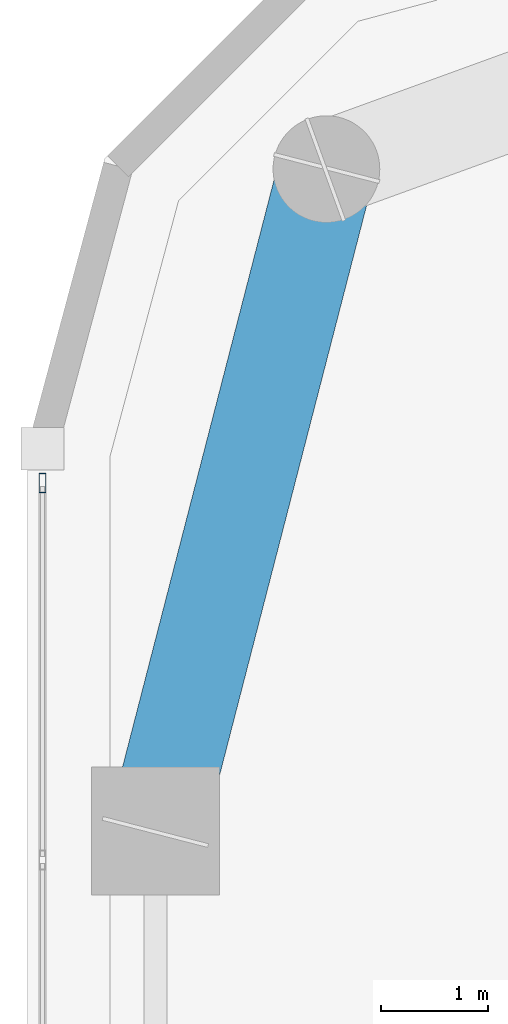
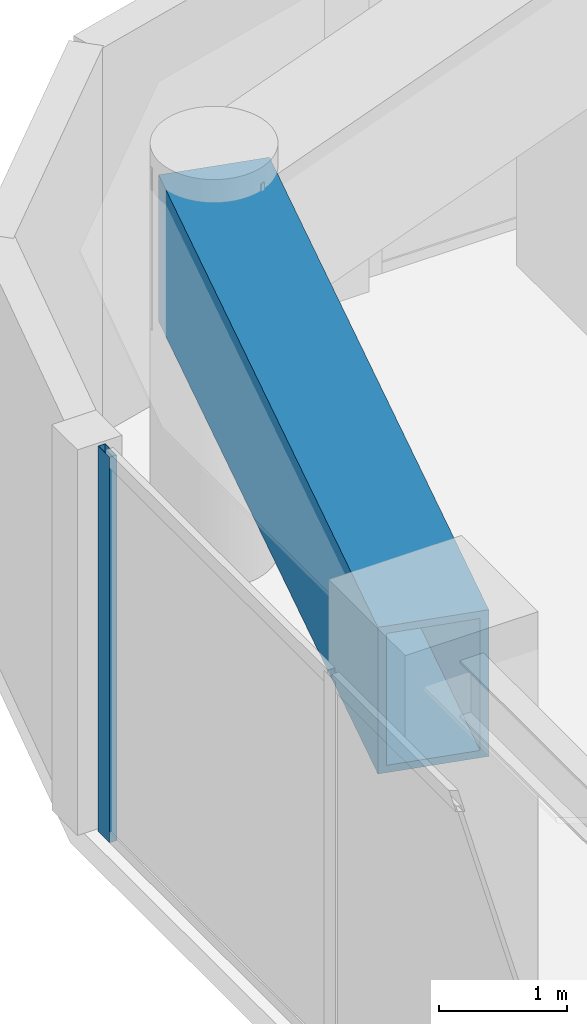
# One storey, part 11 of 26: 1 beam, 1 member, 1 element without a shape of its own.
"""IFC4 building model written with IfcOpenShell, lengths in metres."""

from ifc_helpers import new_model, si_unit, direction, frame, origin, origin_2d, place, context, subcontext, project, spatial, hollow_rectangle, extrude, material, layer, layer_set, material_profile, profile_set, type_object, element, aggregate, save


model = new_model("IFC4")

# Units and contexts
model_context = context("Model", 3, precision=1e-05, world=origin(), true_north=direction((0.0, 1.0)))
body_context = subcontext(model_context, "Body", "Model", "MODEL_VIEW")
ifc_project = project(units=[si_unit("LENGTHUNIT", "METRE"), si_unit("AREAUNIT", "SQUARE_METRE"), si_unit("VOLUMEUNIT", "CUBIC_METRE"), si_unit("PLANEANGLEUNIT", "RADIAN"), si_unit("MASSUNIT", "GRAM", prefix="KILO")], contexts=[model_context])

# Site, building, storey
site_placement = place(None, origin())
site = spatial("IfcSite", under=ifc_project, at=site_placement, CompositionType="ELEMENT")
building_placement = place(site_placement, origin())
building = spatial("IfcBuilding", under=site, at=building_placement, Name="Kiyonajd Concourse Tower", CompositionType="ELEMENT")
storey_placement = place(building_placement, frame((0.0, 0.0, 186.300048828125)))
storey = spatial("IfcBuildingStorey", under=building, at=storey_placement, Name="L47", CompositionType="ELEMENT", Elevation=186.300048828125)

# Beam
ifc_material_1 = material(Name="Steel ASTM A572 Grade 50", Category="steel")
ifc_material_profile_1 = material_profile(ifc_material_1, hollow_rectangle(XDim=0.89990234375, YDim=1.39990234375, WallThickness=0.070068359375, at=origin_2d()), Name="BOX-1400x900x70")
ifc_profile_set_1 = profile_set([ifc_material_profile_1], Name="Steel ASTM A572 Grade 50")
beam_type = type_object("IfcBeamType", Name="BM-XFER-1400", PredefinedType="BEAM", material=ifc_profile_set_1)
beam_placement = place(storey_placement, frame((20.800048828125, 59.60009765625, 2.97998046875), z_axis=(-0.249884937687, -0.968275538221, 0.0), x_axis=(0.968275538221, -0.249884937687, 0.0)))
element("IfcBeam", 1, at=beam_placement, inside=storey, type_object=beam_type, Name="L47 Perimeter Bundled Tube Spandrel", PredefinedType="BEAM", context=body_context, shape_type="SweptSolid", body=[
    extrude(hollow_rectangle(XDim=0.89990234375, YDim=1.39990234375, WallThickness=0.070068359375, at=origin_2d()), origin(), (0.0, 0.0, 1.0), 6.4033203125),
])

# Curtain wall, member
ifc_material_2 = material(Name="Thermally Broken Anodised Aluminium", Category="aluminium")
ifc_layer = layer(ifc_material_2, 0.179931640625)
ifc_layer_set = layer_set([ifc_layer], Name="Thermally Broken Anodised Aluminium")
curtain_wall_type = type_object("IfcCurtainWallType", Name="CW-SYS-03", PredefinedType="NOTDEFINED", material=ifc_layer_set)
curtain_wall_placement = place(storey_placement, origin())
curtain_wall = element("IfcCurtainWall", 2, at=curtain_wall_placement, inside=storey, type_object=curtain_wall_type, Name="L47 Unitised Curtain Wall CW3", PredefinedType="NOTDEFINED")
ifc_material_profile_2 = material_profile(ifc_material_2, hollow_rectangle(XDim=0.06494140625, YDim=0.179931640625, WallThickness=0.00390625, at=origin_2d()), Name="MULL-65x180")
ifc_profile_set_2 = profile_set([ifc_material_profile_2], Name="Thermally Broken Anodised Aluminium")
member_type = type_object("IfcMemberType", Name="MB-CW-MULL1", PredefinedType="MULLION", material=ifc_profile_set_2)
member_placement = place(storey_placement, frame((18.139892578125, 56.6591796875, 0.0), z_axis=(0.0, 0.0, 1.0), x_axis=(-1.0, 0.0, 0.0)))
member = element("IfcMember", 3, at=member_placement, type_object=member_type, Name="CW3 mullion 5", PredefinedType="MULLION", context=body_context, shape_type="SweptSolid", body=[
    extrude(hollow_rectangle(XDim=0.06494140625, YDim=0.179931640625, WallThickness=0.00390625, at=origin_2d()), origin(), (0.0, 0.0, 1.0), 3.679931640625),
])
aggregate(curtain_wall, [member])

save(model, "model.ifc")
